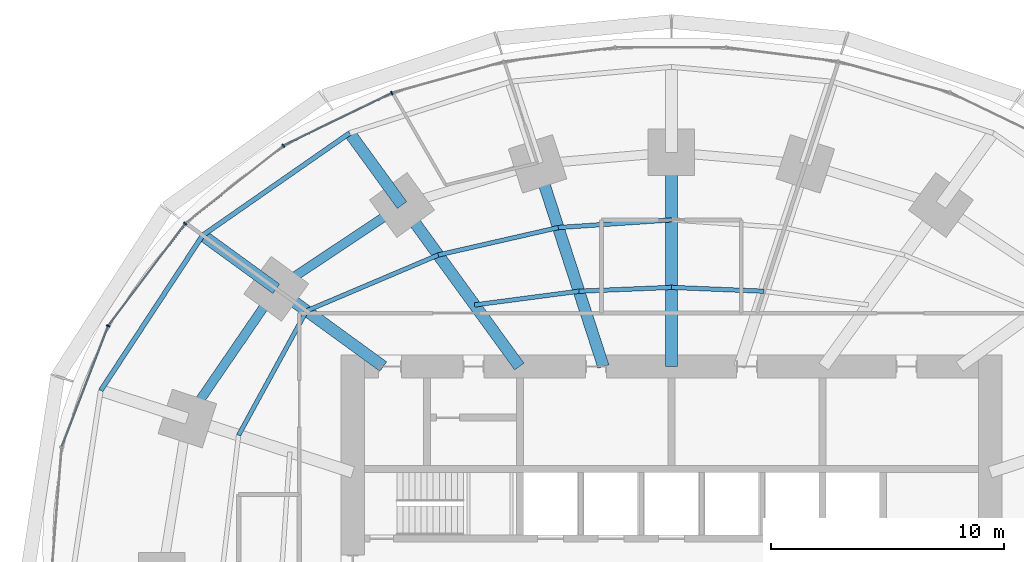
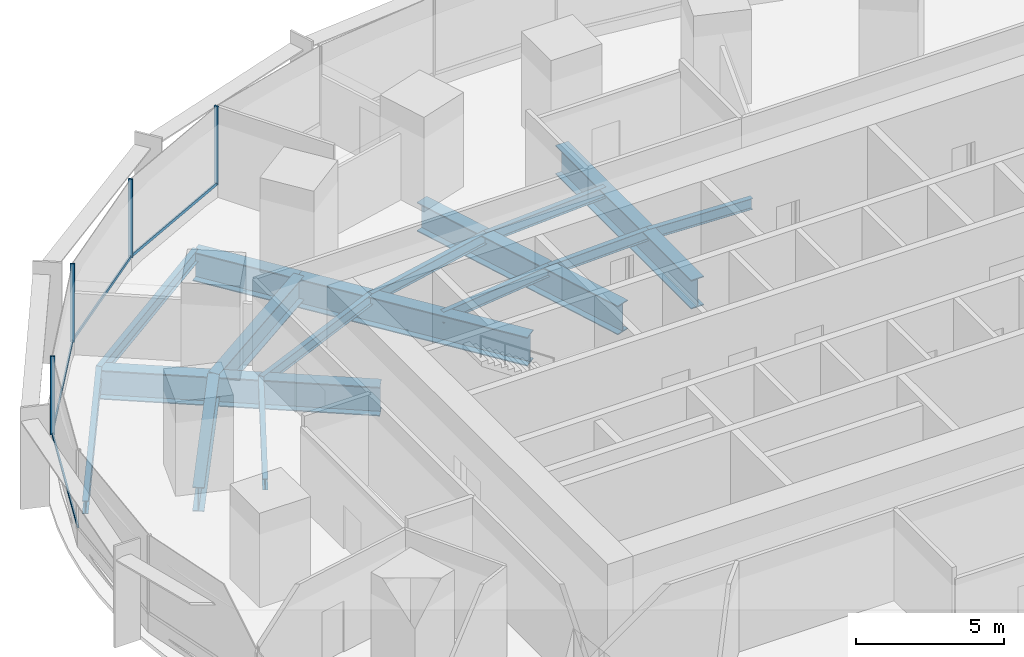
# One storey, part 7 of 15: 17 beams, 8 members, 1 element without a shape of its own.
"""IFC4 building model written with IfcOpenShell, lengths in metres."""

from ifc_helpers import new_model, si_unit, direction, frame, origin, origin_2d, place, context, subcontext, project, spatial, rectangle, i_section, extrude, material, material_profile, profile_set, type_object, element, aggregate, save


model = new_model("IFC4")

# Units and contexts
model_context = context("Model", 3, precision=1e-05, world=origin(), true_north=direction((0.0, 1.0)))
body_context = subcontext(model_context, "Body", "Model", "MODEL_VIEW")
ifc_project = project(units=[si_unit("LENGTHUNIT", "METRE"), si_unit("AREAUNIT", "SQUARE_METRE"), si_unit("VOLUMEUNIT", "CUBIC_METRE"), si_unit("PLANEANGLEUNIT", "RADIAN"), si_unit("MASSUNIT", "GRAM", prefix="KILO")], contexts=[model_context])

# Site, building, storey
site_placement = place(None, origin())
site = spatial("IfcSite", under=ifc_project, at=site_placement, CompositionType="ELEMENT")
building_placement = place(site_placement, origin())
building = spatial("IfcBuilding", under=site, at=building_placement, Name="Marramba Exchange Tower", CompositionType="ELEMENT")
storey_placement = place(building_placement, frame((0.0, 0.0, 70.0)))
storey = spatial("IfcBuildingStorey", under=building, at=storey_placement, Name="L16", CompositionType="ELEMENT", Elevation=70.0)

# Beams
ifc_material_1 = material(Name="Steel AS/NZS 3679.2 grade 300", Category="steel")
ifc_material_profile_1 = material_profile(ifc_material_1, i_section(OverallWidth=0.5, OverallDepth=1.199951171875, WebThickness=0.01611328125, FlangeThickness=0.0400390625, at=origin_2d()), Name="1200WB455")
ifc_profile_set_1 = profile_set([ifc_material_profile_1], Name="Steel AS/NZS 3679.2 grade 300")
beam_type_1 = type_object("IfcBeamType", Name="Cantilever girder 1200WB455", PredefinedType="BEAM", material=ifc_profile_set_1)
beam_1_placement = place(storey_placement, frame((-11.581298828125, 15.9404296875, -0.760009765625), z_axis=(-0.587795827483, 0.809009310944, 0.0), x_axis=(-0.809009310944, -0.587795827483, 0.0)))
element("IfcBeam", 1, at=beam_1_placement, inside=storey, type_object=beam_type_1, Name="Cantilever girder L16 TC08", PredefinedType="BEAM", context=body_context, shape_type="SweptSolid", body=[
    extrude(i_section(OverallWidth=0.5, OverallDepth=1.199951171875, WebThickness=0.01611328125, FlangeThickness=0.0400390625, at=origin_2d()), origin(), (0.0, 0.0, 1.0), 3.82421875),
])
beam_2_placement = place(storey_placement, frame((-16.98583984375, 12.3408203125, -0.760009765625), z_axis=(-0.808987260856, 0.587826174793, 0.0), x_axis=(-0.587826174793, -0.808987260856, 0.0)))
element("IfcBeam", 2, at=beam_2_placement, inside=storey, type_object=beam_type_1, Name="Cantilever girder L16 TC09", PredefinedType="BEAM", context=body_context, shape_type="SweptSolid", body=[
    extrude(i_section(OverallWidth=0.5, OverallDepth=1.199951171875, WebThickness=0.01611328125, FlangeThickness=0.0400390625, at=origin_2d()), origin(), (0.0, 0.0, 1.0), 3.90771484375),
])
ifc_material_2 = material(Name="Steel AS/NZS 3679.1 grade 300", Category="steel")
ifc_material_profile_2 = material_profile(ifc_material_2, i_section(OverallWidth=0.18994140625, OverallDepth=0.4541015625, WebThickness=0.008544921875, FlangeThickness=0.0126953125, FilletRadius=0.011474609375, at=origin_2d()), Name="460UB67.1")
ifc_profile_set_2 = profile_set([ifc_material_profile_2], Name="Steel AS/NZS 3679.1 grade 300")
beam_type_2 = type_object("IfcBeamType", Name="Floor joist 460UB67.1", PredefinedType="JOIST", material=ifc_profile_set_2)
for number, where, z_axis, x_axis, name in (
    (3, (3.975830078125, 12.236083984375, -0.386962890625), (-0.999137002892, 0.041536122257, 0.0), (-0.041536122257, -0.999137002892, 0.0), "Joist L16 bay 05 row 1"),
    (4, (0.0, 12.4013671875, -0.386962890625), (-0.999137002892, -0.041536122257, 0.0), (0.041536122257, -0.999137002892, 0.0), "Joist L16 bay 06 row 1"),
):
    element("IfcBeam", number, at=place(storey_placement, frame(where, z_axis=z_axis, x_axis=x_axis)), inside=storey, type_object=beam_type_2, Name=name, PredefinedType="JOIST", context=body_context, shape_type="SweptSolid", body=[
        extrude(i_section(OverallWidth=0.18994140625, OverallDepth=0.4541015625, WebThickness=0.008544921875, FlangeThickness=0.0126953125, FilletRadius=0.011474609375, at=origin_2d()), origin(), (0.0, 0.0, 1.0), 3.979248046875),
    ])
beam_3_placement = place(storey_placement, frame((0.0, 15.302734375, -0.386962890625), z_axis=(-0.997702652202, -0.067745241816, 0.0), x_axis=(0.067745241816, -0.997702652202, 0.0)))
element("IfcBeam", 5, at=beam_3_placement, inside=storey, type_object=beam_type_2, Name="Joist L16 bay 06 row 2", PredefinedType="JOIST", context=body_context, shape_type="SweptSolid", body=[
    extrude(i_section(OverallWidth=0.18994140625, OverallDepth=0.4541015625, WebThickness=0.008544921875, FlangeThickness=0.0126953125, FilletRadius=0.011474609375, at=origin_2d()), origin(), (0.0, 0.0, 1.0), 4.8759765625),
])
beam_4_placement = place(storey_placement, frame((-3.975830078125, 12.236083984375, -0.386962890625), z_axis=(-0.991480538255, -0.130254912618, 0.0), x_axis=(0.130254912618, -0.991480538255, 0.0)))
element("IfcBeam", 6, at=beam_4_placement, inside=storey, type_object=beam_type_2, Name="Joist L16 bay 07 row 1", PredefinedType="JOIST", context=body_context, shape_type="SweptSolid", body=[
    extrude(i_section(OverallWidth=0.18994140625, OverallDepth=0.4541015625, WebThickness=0.008544921875, FlangeThickness=0.0126953125, FilletRadius=0.011474609375, at=origin_2d()), origin(), (0.0, 0.0, 1.0), 4.524658203125),
])
beam_5_placement = place(storey_placement, frame((-4.86474609375, 14.972412109375, -0.386962890625), z_axis=(-0.974859652292, -0.222819788916, 0.0), x_axis=(0.222819788916, -0.974859652292, 0.0)))
element("IfcBeam", 7, at=beam_5_placement, inside=storey, type_object=beam_type_2, Name="Joist L16 bay 07 row 2", PredefinedType="JOIST", context=body_context, shape_type="SweptSolid", body=[
    extrude(i_section(OverallWidth=0.18994140625, OverallDepth=0.4541015625, WebThickness=0.008544921875, FlangeThickness=0.0126953125, FilletRadius=0.011474609375, at=origin_2d()), origin(), (0.0, 0.0, 1.0), 5.2900390625),
])
beam_6_placement = place(storey_placement, frame((-10.021728515625, 13.793701171875, -0.386962890625), z_axis=(-0.920674336375, -0.390331610738, 0.0), x_axis=(0.390331610738, -0.920674336375, 0.0)))
element("IfcBeam", 8, at=beam_6_placement, inside=storey, type_object=beam_type_2, Name="Joist L16 bay 08 row 2", PredefinedType="JOIST", context=body_context, shape_type="SweptSolid", body=[
    extrude(i_section(OverallWidth=0.18994140625, OverallDepth=0.4541015625, WebThickness=0.008544921875, FlangeThickness=0.0126953125, FilletRadius=0.011474609375, at=origin_2d()), origin(), (0.0, 0.0, 1.0), 6.1484375),
])
beam_7_placement = place(storey_placement, frame((-15.682373046875, 11.393798828125, -0.386962890625), z_axis=(-0.479584443791, -0.877495732909, 0.0), x_axis=(0.877495732909, -0.479584443791, 0.0)))
element("IfcBeam", 9, at=beam_7_placement, inside=storey, type_object=beam_type_2, Name="Joist L16 bay 09 row 2", PredefinedType="JOIST", context=body_context, shape_type="SweptSolid", body=[
    extrude(i_section(OverallWidth=0.18994140625, OverallDepth=0.4541015625, WebThickness=0.008544921875, FlangeThickness=0.0126953125, FilletRadius=0.011474609375, at=origin_2d()), origin(), (0.0, 0.0, 1.0), 6.094970703125),
])
ifc_material_profile_3 = material_profile(ifc_material_1, i_section(OverallWidth=0.5, OverallDepth=1.199951171875, WebThickness=0.01611328125, FlangeThickness=0.0400390625, at=origin_2d()), Name="1200WB455")
ifc_profile_set_3 = profile_set([ifc_material_profile_3], Name="Steel AS/NZS 3679.2 grade 300")
beam_type_3 = type_object("IfcBeamType", Name="Radial girder 1200WB455", PredefinedType="BEAM", material=ifc_profile_set_3)
beam_8_placement = place(storey_placement, frame((0.0, 9.0, -0.760009765625), z_axis=(0.0, 1.0, 0.0), x_axis=(-1.0, 0.0, 0.0)))
element("IfcBeam", 10, at=beam_8_placement, inside=storey, type_object=beam_type_3, Name="Radial girder L16 TC06", PredefinedType="BEAM", context=body_context, shape_type="SweptSolid", body=[
    extrude(i_section(OverallWidth=0.5, OverallDepth=1.199951171875, WebThickness=0.01611328125, FlangeThickness=0.0400390625, at=origin_2d()), origin(), (0.0, 0.0, 1.0), 9.2041015625),
])
beam_9_placement = place(storey_placement, frame((-2.92431640625, 9.0, -0.760009765625), z_axis=(-0.309019754162, 0.951055619582, 0.0), x_axis=(-0.951055619582, -0.309019754162, 0.0)))
element("IfcBeam", 11, at=beam_9_placement, inside=storey, type_object=beam_type_3, Name="Radial girder L16 TC07", PredefinedType="BEAM", context=body_context, shape_type="SweptSolid", body=[
    extrude(i_section(OverallWidth=0.5, OverallDepth=1.199951171875, WebThickness=0.01611328125, FlangeThickness=0.0400390625, at=origin_2d()), origin(), (0.0, 0.0, 1.0), 9.15673828125),
])
beam_10_placement = place(storey_placement, frame((-6.538818359375, 9.0, -0.760009765625), z_axis=(-0.587782439969, 0.80901903764, 0.0), x_axis=(-0.80901903764, -0.587782439969, 0.0)))
element("IfcBeam", 12, at=beam_10_placement, inside=storey, type_object=beam_type_3, Name="Radial girder L16 TC08", PredefinedType="BEAM", context=body_context, shape_type="SweptSolid", body=[
    extrude(i_section(OverallWidth=0.5, OverallDepth=1.199951171875, WebThickness=0.01611328125, FlangeThickness=0.0400390625, at=origin_2d()), origin(), (0.0, 0.0, 1.0), 8.578857421875),
])
beam_11_placement = place(storey_placement, frame((-12.387451171875, 9.0, -0.760009765625), z_axis=(-0.809025746925, 0.587773205252, 0.0), x_axis=(-0.587773205252, -0.809025746925, 0.0)))
element("IfcBeam", 13, at=beam_11_placement, inside=storey, type_object=beam_type_3, Name="Radial girder L16 TC09", PredefinedType="BEAM", context=body_context, shape_type="SweptSolid", body=[
    extrude(i_section(OverallWidth=0.5, OverallDepth=1.199951171875, WebThickness=0.01611328125, FlangeThickness=0.0400390625, at=origin_2d()), origin(), (0.0, 0.0, 1.0), 5.683837890625),
])
ifc_material_profile_4 = material_profile(ifc_material_1, i_section(OverallWidth=0.39990234375, OverallDepth=1.0, WebThickness=0.01611328125, FlangeThickness=0.031982421875, at=origin_2d()), Name="1000WB322")
ifc_profile_set_4 = profile_set([ifc_material_profile_4], Name="Steel AS/NZS 3679.2 grade 300")
beam_type_4 = type_object("IfcBeamType", Name="Ring beam 1000WB322", PredefinedType="SPANDREL", material=ifc_profile_set_4)
beam_12_placement = place(storey_placement, frame((-11.581298828125, 15.9404296875, -0.659912109375), z_axis=(-0.832293151443, -0.554335737673, 0.0), x_axis=(0.554335737673, -0.832293151443, 0.0)))
element("IfcBeam", 14, at=beam_12_placement, inside=storey, type_object=beam_type_4, Name="Ring beam L16 TC08-TC09", PredefinedType="SPANDREL", context=body_context, shape_type="SweptSolid", body=[
    extrude(i_section(OverallWidth=0.39990234375, OverallDepth=1.0, WebThickness=0.01611328125, FlangeThickness=0.031982421875, at=origin_2d()), origin(), (0.0, 0.0, 1.0), 6.49365234375),
])
beam_13_placement = place(storey_placement, frame((-16.98583984375, 12.3408203125, -0.659912109375), z_axis=(-0.56516002054, -0.824981303535, 0.0), x_axis=(0.824981303535, -0.56516002054, 0.0)))
element("IfcBeam", 15, at=beam_13_placement, inside=storey, type_object=beam_type_4, Name="Ring beam L16 TC09-TC10", PredefinedType="SPANDREL", context=body_context, shape_type="SweptSolid", body=[
    extrude(i_section(OverallWidth=0.39990234375, OverallDepth=1.0, WebThickness=0.01611328125, FlangeThickness=0.031982421875, at=origin_2d()), origin(), (0.0, 0.0, 1.0), 6.763671875),
])
ifc_material_profile_5 = material_profile(ifc_material_2, i_section(OverallWidth=0.208984375, OverallDepth=0.528076171875, WebThickness=0.009521484375, FlangeThickness=0.01318359375, FilletRadius=0.013916015625, at=origin_2d()), Name="530UB82.0")
ifc_profile_set_5 = profile_set([ifc_material_profile_5], Name="Steel AS/NZS 3679.1 grade 300")
beam_type_5 = type_object("IfcBeamType", Name="Slab edge beam 530UB82.0", PredefinedType="SPANDREL", material=ifc_profile_set_5)
beam_14_placement = place(storey_placement, frame((-13.8291015625, 19.0341796875, -0.424072265625), z_axis=(-0.820842487183, -0.571154629882, 0.0), x_axis=(0.571154629882, -0.820842487183, 0.0)))
element("IfcBeam", 16, at=beam_14_placement, inside=storey, type_object=beam_type_5, Name="Slab edge beam L16 TC08-TC09", PredefinedType="SPANDREL", context=body_context, shape_type="SweptSolid", body=[
    extrude(i_section(OverallWidth=0.208984375, OverallDepth=0.528076171875, WebThickness=0.009521484375, FlangeThickness=0.01318359375, FilletRadius=0.013916015625, at=origin_2d()), origin(), (0.0, 0.0, 1.0), 7.697021484375),
])
beam_15_placement = place(storey_placement, frame((-20.147216796875, 14.637939453125, -0.424072265625), z_axis=(-0.549123544095, -0.835741188001, 0.0), x_axis=(0.835741188001, -0.549123544095, 0.0)))
element("IfcBeam", 17, at=beam_15_placement, inside=storey, type_object=beam_type_5, Name="Slab edge beam L16 TC09-TC10", PredefinedType="SPANDREL", context=body_context, shape_type="SweptSolid", body=[
    extrude(i_section(OverallWidth=0.208984375, OverallDepth=0.528076171875, WebThickness=0.009521484375, FlangeThickness=0.01318359375, FilletRadius=0.013916015625, at=origin_2d()), origin(), (0.0, 0.0, 1.0), 7.978759765625),
])

# Curtain wall, members
ifc_material_3 = material(Name="Aluminium framing, bronze anodised", Category="aluminium")
curtain_wall_type = type_object("IfcCurtainWallType", Name="Trading floor ribbon curtain wall", PredefinedType="USERDEFINED", material=ifc_material_3)
curtain_wall_placement = place(storey_placement, origin())
curtain_wall = element("IfcCurtainWall", 18, at=curtain_wall_placement, inside=storey, type_object=curtain_wall_type, Name="Curtain wall CW3 L16 F11-F15", ObjectType="RIBBON CURTAIN WALL", PredefinedType="USERDEFINED")
ifc_material_4 = material(Name="Aluminium mullion, bronze anodised", Category="aluminium")
ifc_material_profile_6 = material_profile(ifc_material_4, rectangle(XDim=0.159912109375, YDim=0.06005859375, at=origin_2d()), Name="CW3 mullion 60x160")
ifc_profile_set_6 = profile_set([ifc_material_profile_6], Name="Aluminium mullion, bronze anodised")
member_type_1 = type_object("IfcMemberType", Name="Trading floor ribbon curtain wall mullion", PredefinedType="MULLION", material=ifc_profile_set_6)
member_1_placement = place(storey_placement, frame((-12.016357421875, 20.7529296875, 0.800048828125), z_axis=(0.0, 0.0, 1.0), x_axis=(0.43596538664, -0.899963433508, 0.0)))
member_1 = element("IfcMember", 19, at=member_1_placement, type_object=member_type_1, Name="CW3 mullion 1", PredefinedType="MULLION", context=body_context, shape_type="SweptSolid", body=[
    extrude(rectangle(XDim=0.159912109375, YDim=0.06005859375, at=origin_2d()), origin(), (0.0, 0.0, 1.0), 3.239990234375),
])
member_2_placement = place(storey_placement, frame((-16.683837890625, 18.484619140625, 0.800048828125), z_axis=(0.0, 0.0, 1.0), x_axis=(0.620649730166, -0.784087949432, 0.0)))
member_2 = element("IfcMember", 20, at=member_2_placement, type_object=member_type_1, Name="CW3 mullion 1", PredefinedType="MULLION", context=body_context, shape_type="SweptSolid", body=[
    extrude(rectangle(XDim=0.159912109375, YDim=0.06005859375, at=origin_2d()), origin(), (0.0, 0.0, 1.0), 3.239990234375),
])
member_3_placement = place(storey_placement, frame((-20.8935546875, 15.142822265625, 0.800048828125), z_axis=(0.0, 0.0, 1.0), x_axis=(0.797748922445, -0.602989765036, 0.0)))
member_3 = element("IfcMember", 21, at=member_3_placement, type_object=member_type_1, Name="CW3 mullion 1", PredefinedType="MULLION", context=body_context, shape_type="SweptSolid", body=[
    extrude(rectangle(XDim=0.159912109375, YDim=0.06005859375, at=origin_2d()), origin(), (0.0, 0.0, 1.0), 3.239990234375),
])
member_4_placement = place(storey_placement, frame((-24.207275390625, 10.7451171875, 0.800048828125), z_axis=(0.0, 0.0, 1.0), x_axis=(0.933135256626, -0.359525510698, 0.0)))
member_4 = element("IfcMember", 22, at=member_4_placement, type_object=member_type_1, Name="CW3 mullion 1", PredefinedType="MULLION", context=body_context, shape_type="SweptSolid", body=[
    extrude(rectangle(XDim=0.159912109375, YDim=0.06005859375, at=origin_2d()), origin(), (0.0, 0.0, 1.0), 3.239990234375),
])
ifc_material_5 = material(Name="Aluminium transom, bronze anodised", Category="aluminium")
ifc_material_profile_7 = material_profile(ifc_material_5, rectangle(XDim=0.06005859375, YDim=0.1201171875, at=origin_2d()), Name="CW3 transom 60x120")
ifc_profile_set_7 = profile_set([ifc_material_profile_7], Name="Aluminium transom, bronze anodised")
member_type_2 = type_object("IfcMemberType", Name="Trading floor ribbon curtain wall transom", PredefinedType="USERDEFINED", material=ifc_profile_set_7)
member_5_placement = place(storey_placement, frame((-12.043212890625, 20.739990234375, 0.830078125), z_axis=(-0.89995331781, -0.43598626786, 0.0), x_axis=(0.43598626786, -0.89995331781, 0.0)))
member_5 = element("IfcMember", 23, at=member_5_placement, type_object=member_type_2, Name="CW3 sill transom", ObjectType="TRANSOM", PredefinedType="USERDEFINED", context=body_context, shape_type="SweptSolid", body=[
    extrude(rectangle(XDim=0.06005859375, YDim=0.1201171875, at=origin_2d()), origin(), (0.0, 0.0, 1.0), 5.13037109375),
])
member_6_placement = place(storey_placement, frame((-16.70751953125, 18.466064453125, 0.830078125), z_axis=(-0.784075625018, -0.620665299701, 0.0), x_axis=(0.620665299701, -0.784075625018, 0.0)))
member_6 = element("IfcMember", 24, at=member_6_placement, type_object=member_type_2, Name="CW3 sill transom", ObjectType="TRANSOM", PredefinedType="USERDEFINED", context=body_context, shape_type="SweptSolid", body=[
    extrude(rectangle(XDim=0.06005859375, YDim=0.1201171875, at=origin_2d()), origin(), (0.0, 0.0, 1.0), 5.315673828125),
])
member_7_placement = place(storey_placement, frame((-20.91162109375, 15.118896484375, 0.830078125), z_axis=(-0.602985866158, -0.797751869452, 0.0), x_axis=(0.797751869452, -0.602985866158, 0.0)))
member_7 = element("IfcMember", 25, at=member_7_placement, type_object=member_type_2, Name="CW3 sill transom", ObjectType="TRANSOM", PredefinedType="USERDEFINED", context=body_context, shape_type="SweptSolid", body=[
    extrude(rectangle(XDim=0.06005859375, YDim=0.1201171875, at=origin_2d()), origin(), (0.0, 0.0, 1.0), 5.44775390625),
])
member_8_placement = place(storey_placement, frame((-24.218017578125, 10.717041015625, 0.830078125), z_axis=(-0.359533581349, -0.933132147063, 0.0), x_axis=(0.933132147063, -0.359533581349, 0.0)))
member_8 = element("IfcMember", 26, at=member_8_placement, type_object=member_type_2, Name="CW3 sill transom", ObjectType="TRANSOM", PredefinedType="USERDEFINED", context=body_context, shape_type="SweptSolid", body=[
    extrude(rectangle(XDim=0.06005859375, YDim=0.1201171875, at=origin_2d()), origin(), (0.0, 0.0, 1.0), 5.5166015625),
])
aggregate(curtain_wall, [member_1, member_5, member_2, member_6, member_3, member_7, member_4, member_8])

save(model, "model.ifc")
